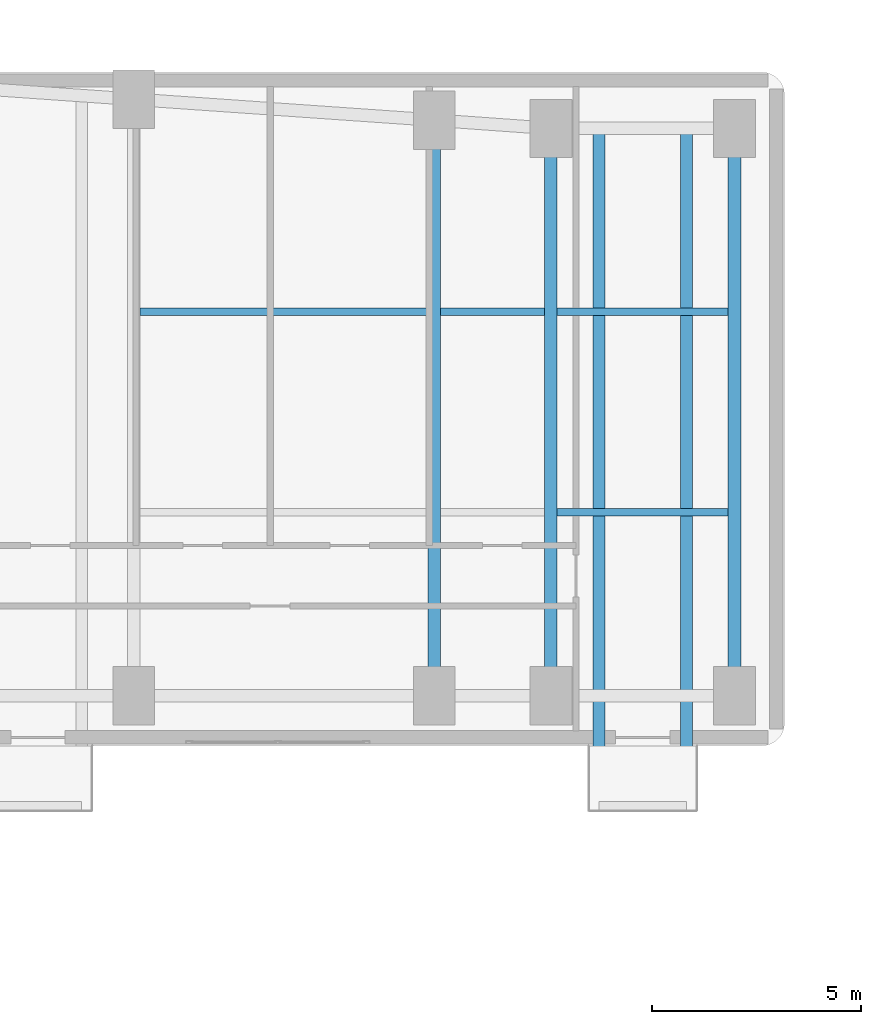
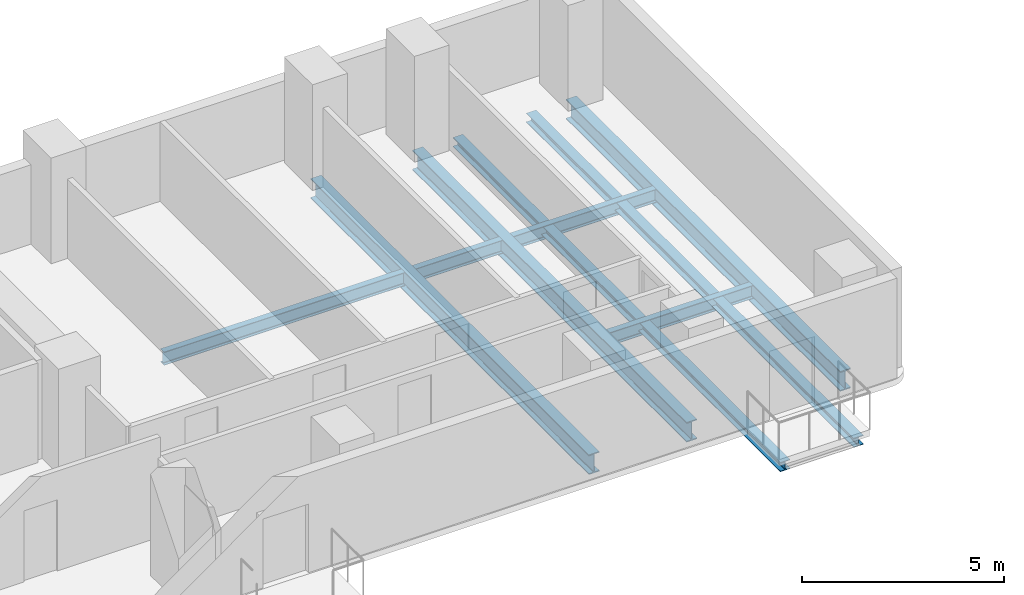
# One storey, part 7 of 17: 9 beams.
"""IFC4 building model written with IfcOpenShell, lengths in metres."""

from ifc_helpers import new_model, si_unit, direction, frame, origin, origin_2d, place, context, subcontext, project, spatial, i_section, extrude, material, material_profile, profile_set, type_object, element, save


model = new_model("IFC4")

# Units and contexts
model_context = context("Model", 3, precision=1e-05, world=origin(), true_north=direction((0.0, 1.0)))
body_context = subcontext(model_context, "Body", "Model", "MODEL_VIEW")
ifc_project = project(units=[si_unit("LENGTHUNIT", "METRE"), si_unit("AREAUNIT", "SQUARE_METRE"), si_unit("VOLUMEUNIT", "CUBIC_METRE"), si_unit("PLANEANGLEUNIT", "RADIAN"), si_unit("MASSUNIT", "GRAM", prefix="KILO")], contexts=[model_context])

# Site, building, storey
site_placement = place(None, origin())
site = spatial("IfcSite", under=ifc_project, at=site_placement, CompositionType="ELEMENT")
building_placement = place(site_placement, origin())
building = spatial("IfcBuilding", under=site, at=building_placement, Name="Kuzgunbayir Cultural Tower", CompositionType="ELEMENT")
storey_placement = place(building_placement, frame((0.0, 0.0, 56.39990234375)))
storey = spatial("IfcBuildingStorey", under=building, at=storey_placement, Name="L15", CompositionType="ELEMENT", Elevation=56.39990234375)

# Beams
ifc_material = material(Name="Steel S355J2", Category="steel")
ifc_material_profile_1 = material_profile(ifc_material, i_section(OverallWidth=0.280029296875, OverallDepth=0.280029296875, WebThickness=0.010498046875, FlangeThickness=0.01806640625, FilletRadius=0.02392578125, at=origin_2d()), Name="HEB 280")
ifc_profile_set_1 = profile_set([ifc_material_profile_1], Name="Steel S355J2")
beam_type_1 = type_object("IfcBeamType", Name="BM-BAL-HEB280", PredefinedType="BEAM", material=ifc_profile_set_1)
for number, where, z_axis, x_axis, name in (
    (1, (42.35009765625, 24.9599609375, -0.33984375), (0.0, 1.0, 0.0), (-1.0, 0.0, 0.0), "L15 Balcony Outrigger Beam BAL-L15-WB3.1"),
    (2, (44.449951171875, 24.9599609375, -0.33984375), (0.0, 1.0, 0.0), (-1.0, 0.0, 0.0), "L15 Balcony Outrigger Beam BAL-L15-WB3.2"),
):
    element("IfcBeam", number, at=place(storey_placement, frame(where, z_axis=z_axis, x_axis=x_axis)), inside=storey, type_object=beam_type_1, Name=name, PredefinedType="BEAM", context=body_context, shape_type="SweptSolid", body=[
        extrude(i_section(OverallWidth=0.280029296875, OverallDepth=0.280029296875, WebThickness=0.010498046875, FlangeThickness=0.01806640625, FilletRadius=0.02392578125, at=origin_2d()), origin(), (0.0, 0.0, 1.0), 16.239990234375),
    ])
ifc_material_profile_2 = material_profile(ifc_material, i_section(OverallWidth=0.300048828125, OverallDepth=0.60009765625, WebThickness=0.015380859375, FlangeThickness=0.030029296875, FilletRadius=0.027099609375, at=origin_2d()), Name="HEB 600")
ifc_profile_set_2 = profile_set([ifc_material_profile_2], Name="Steel S355J2")
beam_type_2 = type_object("IfcBeamType", Name="BM-GIR-HEB600", PredefinedType="BEAM", material=ifc_profile_set_2)
beam_1_placement = place(storey_placement, frame((38.39990234375, 27.60009765625, -0.47998046875), z_axis=(0.0, 1.0, 0.0), x_axis=(-1.0, 0.0, 0.0)))
element("IfcBeam", 3, at=beam_1_placement, inside=storey, type_object=beam_type_2, Name="L15 Wing B Cross Girder 38", PredefinedType="BEAM", context=body_context, shape_type="SweptSolid", body=[
    extrude(i_section(OverallWidth=0.300048828125, OverallDepth=0.60009765625, WebThickness=0.015380859375, FlangeThickness=0.030029296875, FilletRadius=0.027099609375, at=origin_2d()), origin(), (0.0, 0.0, 1.0), 13.7998046875),
])
for number, where, z_axis, x_axis, name in (
    (4, (41.199951171875, 27.60009765625, -0.47998046875), (0.0, 1.0, 0.0), (-1.0, 0.0, 0.0), "L15 Wing B Cross Girder 41"),
    (5, (45.60009765625, 27.60009765625, -0.47998046875), (0.0, 1.0, 0.0), (-1.0, 0.0, 0.0), "L15 Wing B Cross Girder 45"),
):
    element("IfcBeam", number, at=place(storey_placement, frame(where, z_axis=z_axis, x_axis=x_axis)), inside=storey, type_object=beam_type_2, Name=name, PredefinedType="BEAM", context=body_context, shape_type="SweptSolid", body=[
        extrude(i_section(OverallWidth=0.300048828125, OverallDepth=0.60009765625, WebThickness=0.015380859375, FlangeThickness=0.030029296875, FilletRadius=0.027099609375, at=origin_2d()), origin(), (0.0, 0.0, 1.0), 13.599853515625),
    ])
ifc_material_profile_3 = material_profile(ifc_material, i_section(OverallWidth=0.179931640625, OverallDepth=0.39990234375, WebThickness=0.008544921875, FlangeThickness=0.013427734375, FilletRadius=0.02099609375, at=origin_2d()), Name="IPE 400")
ifc_profile_set_3 = profile_set([ifc_material_profile_3], Name="Steel S355J2")
beam_type_3 = type_object("IfcBeamType", Name="BM-JST-IPE400", PredefinedType="JOIST", material=ifc_profile_set_3)
beam_2_placement = place(storey_placement, frame((31.35009765625, 36.800048828125, -0.3798828125), z_axis=(1.0, 0.0, 0.0), x_axis=(0.0, 1.0, 0.0)))
element("IfcBeam", 6, at=beam_2_placement, inside=storey, type_object=beam_type_3, Name="L15 Wing B Secondary Joist 1.2", PredefinedType="JOIST", context=body_context, shape_type="SweptSolid", body=[
    extrude(i_section(OverallWidth=0.179931640625, OverallDepth=0.39990234375, WebThickness=0.008544921875, FlangeThickness=0.013427734375, FilletRadius=0.02099609375, at=origin_2d()), origin(), (0.0, 0.0, 1.0), 6.89990234375),
])
beam_3_placement = place(storey_placement, frame((38.550048828125, 36.800048828125, -0.3798828125), z_axis=(1.0, 0.0, 0.0), x_axis=(0.0, 1.0, 0.0)))
element("IfcBeam", 7, at=beam_3_placement, inside=storey, type_object=beam_type_3, Name="L15 Wing B Secondary Joist 2.2", PredefinedType="JOIST", context=body_context, shape_type="SweptSolid", body=[
    extrude(i_section(OverallWidth=0.179931640625, OverallDepth=0.39990234375, WebThickness=0.008544921875, FlangeThickness=0.013427734375, FilletRadius=0.02099609375, at=origin_2d()), origin(), (0.0, 0.0, 1.0), 2.5),
])
for number, where, z_axis, x_axis, name in (
    (8, (41.35009765625, 32.0, -0.3798828125), (1.0, 0.0, 0.0), (0.0, 1.0, 0.0), "L15 Wing B Secondary Joist 3.1"),
    (9, (41.35009765625, 36.800048828125, -0.3798828125), (1.0, 0.0, 0.0), (0.0, 1.0, 0.0), "L15 Wing B Secondary Joist 3.2"),
):
    element("IfcBeam", number, at=place(storey_placement, frame(where, z_axis=z_axis, x_axis=x_axis)), inside=storey, type_object=beam_type_3, Name=name, PredefinedType="JOIST", context=body_context, shape_type="SweptSolid", body=[
        extrude(i_section(OverallWidth=0.179931640625, OverallDepth=0.39990234375, WebThickness=0.008544921875, FlangeThickness=0.013427734375, FilletRadius=0.02099609375, at=origin_2d()), origin(), (0.0, 0.0, 1.0), 4.099853515625),
    ])

save(model, "model.ifc")
